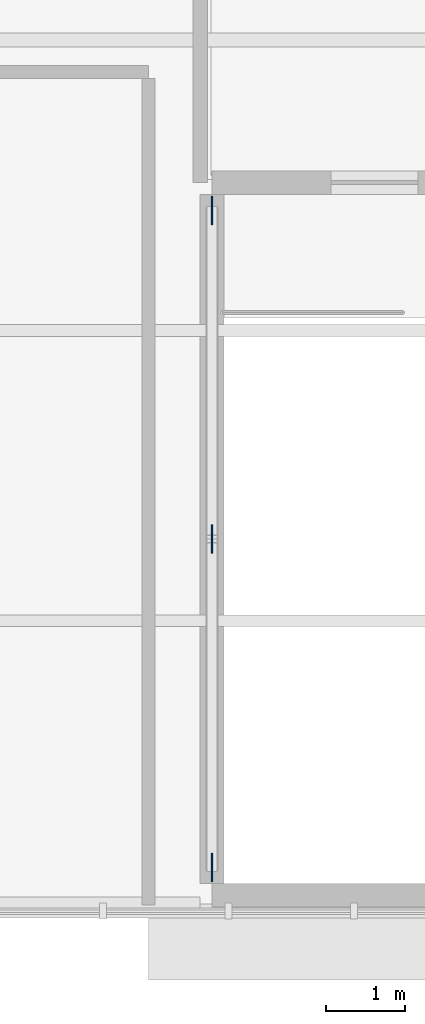
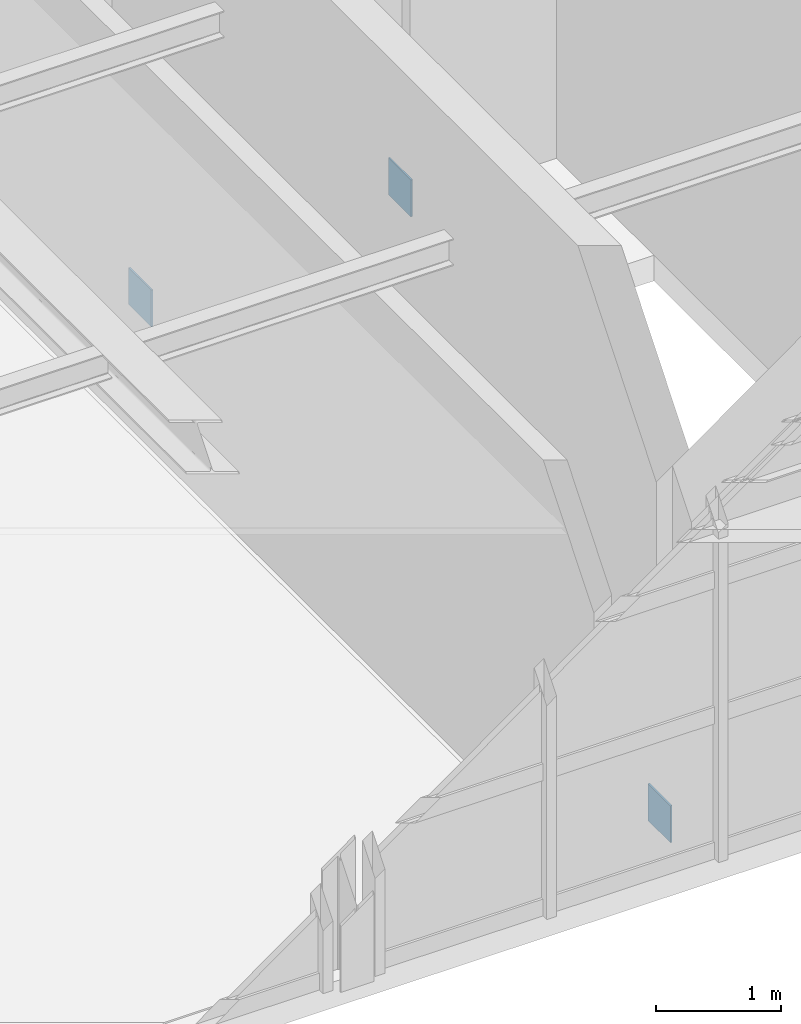
# One storey, part 15 of 18: 3 plates.
"""IFC4 building model written with IfcOpenShell, lengths in metres."""

from ifc_helpers import new_model, si_unit, direction, frame, origin, origin_2d, place, context, subcontext, project, spatial, rectangle, extrude, material, layer, layer_set, type_object, element, save


model = new_model("IFC4")

# Units and contexts
model_context = context("Model", 3, precision=1e-05, world=origin(), true_north=direction((0.0, 1.0)))
body_context = subcontext(model_context, "Body", "Model", "MODEL_VIEW")
ifc_project = project(units=[si_unit("LENGTHUNIT", "METRE"), si_unit("AREAUNIT", "SQUARE_METRE"), si_unit("VOLUMEUNIT", "CUBIC_METRE"), si_unit("PLANEANGLEUNIT", "RADIAN"), si_unit("MASSUNIT", "GRAM", prefix="KILO")], contexts=[model_context])

# Site, building, storey
site_placement = place(None, origin())
site = spatial("IfcSite", under=ifc_project, at=site_placement, CompositionType="ELEMENT")
building_placement = place(site_placement, origin())
building = spatial("IfcBuilding", under=site, at=building_placement, Name="Sitalva Quay Ferry Terminal", CompositionType="ELEMENT")
storey_placement = place(building_placement, frame((0.0, 0.0, 18.60009765625)))
storey = spatial("IfcBuildingStorey", under=building, at=storey_placement, Name="L05", CompositionType="ELEMENT", Elevation=18.60009765625)

# Plates
ifc_material = material(Name="Structural Steel S355JR", Category="steel")
ifc_layer = layer(ifc_material, 0.01611328125)
ifc_layer_set = layer_set([ifc_layer], Name="Structural Steel S355JR")
plate_type = type_object("IfcPlateType", Name="Gusset_360x360x16", PredefinedType="USERDEFINED", material=ifc_layer_set)
for number, where, z_axis, x_axis, name in (
    (1, (112.39990234375, 82.699951171875, 3.56005859375), (0.0, 0.0, 1.0), (1.0, 0.0, 0.0), "Braced frame BF5 L05 APEX gusset"),
    (2, (112.39990234375, 78.550048828125, -0.0302734375), (0.0, 0.0, 1.0), (1.0, 0.0, 0.0), "Braced frame BF5 L05 BASE-A gusset"),
    (3, (112.39990234375, 86.85009765625, -0.0302734375), (0.0, 0.0, 1.0), (1.0, 0.0, 0.0), "Braced frame BF5 L05 BASE-B gusset"),
):
    element("IfcPlate", number, at=place(storey_placement, frame(where, z_axis=z_axis, x_axis=x_axis)), inside=storey, type_object=plate_type, Name=name, ObjectType="FLANGE_PLATE", PredefinedType="USERDEFINED", context=body_context, shape_type="SweptSolid", body=[
        extrude(rectangle(XDim=0.01611328125, YDim=0.360107421875, at=origin_2d()), origin(), (0.0, 0.0, 1.0), 0.360107421875),
    ])

save(model, "model.ifc")
